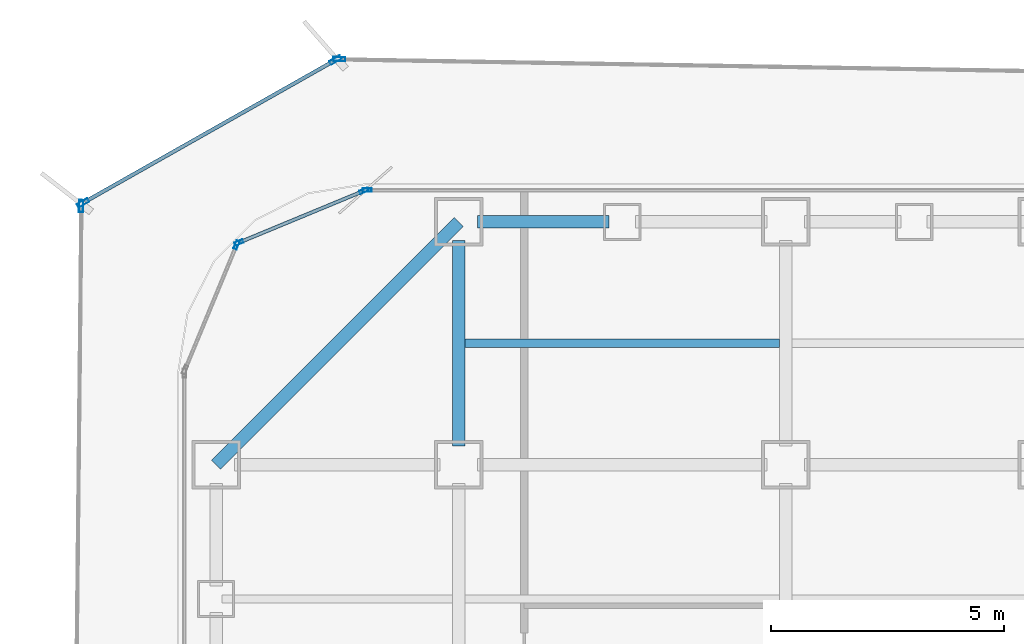
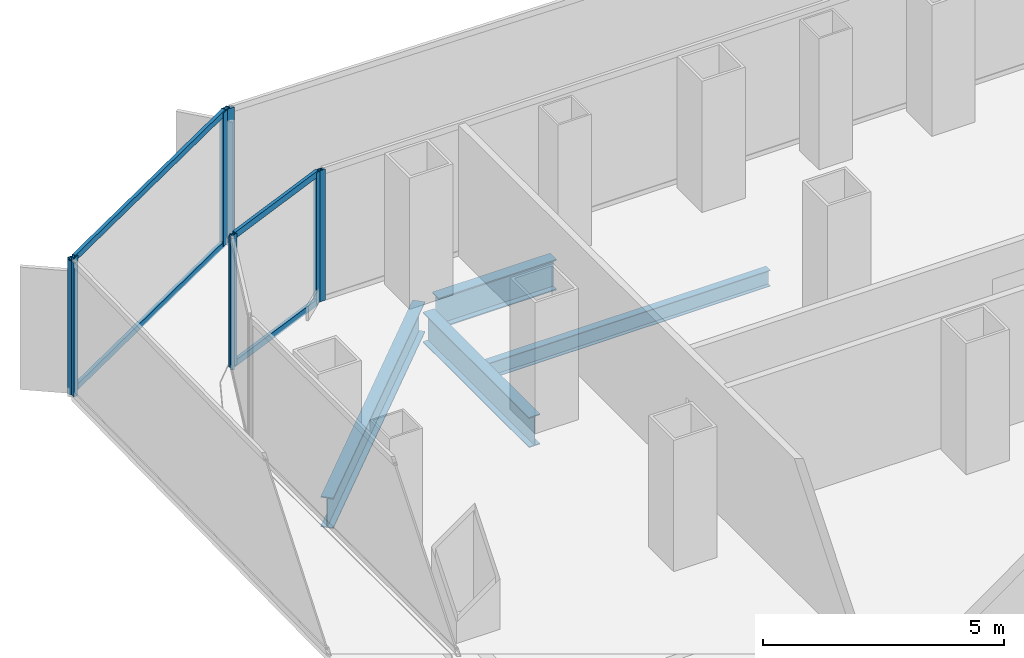
# One storey, part 11 of 21: 12 members, 4 beams, 6 elements without a shape of their own.
"""IFC4 building model written with IfcOpenShell, lengths in metres."""

from ifc_helpers import new_model, si_unit, direction, frame, origin, origin_2d, place, context, subcontext, project, spatial, hollow_rectangle, i_section, extrude, source, transform, mapped, material, layer, layer_set, material_profile, profile_set, type_object, element, aggregate, save


model = new_model("IFC4")

# Units and contexts
model_context = context("Model", 3, precision=1e-05, world=origin(), true_north=direction((0.0, 1.0)))
body_context = subcontext(model_context, "Body", "Model", "MODEL_VIEW")
ifc_project = project(units=[si_unit("LENGTHUNIT", "METRE"), si_unit("AREAUNIT", "SQUARE_METRE"), si_unit("VOLUMEUNIT", "CUBIC_METRE"), si_unit("PLANEANGLEUNIT", "RADIAN"), si_unit("MASSUNIT", "GRAM", prefix="KILO")], contexts=[model_context])

# Site, building, storey
site_placement = place(None, origin())
site = spatial("IfcSite", under=ifc_project, at=site_placement, CompositionType="ELEMENT")
building_placement = place(site_placement, origin())
building = spatial("IfcBuilding", under=site, at=building_placement, Name="Kolveth Station Tower", CompositionType="ELEMENT")
storey_placement = place(building_placement, frame((0.0, 0.0, 40.5)))
storey = spatial("IfcBuildingStorey", under=building, at=storey_placement, Name="L10", CompositionType="ELEMENT", Elevation=40.5)

# Beams
ifc_material_1 = material(Name="Steel S355", Category="steel")
ifc_material_profile_1 = material_profile(ifc_material_1, i_section(OverallWidth=0.26904296875, OverallDepth=0.77490234375, WebThickness=0.01708984375, FlangeThickness=0.0283203125, at=origin_2d()), Name="W760x220")
ifc_profile_set_1 = profile_set([ifc_material_profile_1], Name="Steel S355")
beam_type_1 = type_object("IfcBeamType", Name="Beam_SP1", PredefinedType="SPANDREL", material=ifc_profile_set_1)
shared_shape_1 = source(origin(), body_context, "Body", "SweptSolid", [
    extrude(i_section(OverallWidth=0.26904296875, OverallDepth=0.77490234375, WebThickness=0.01708984375, FlangeThickness=0.0283203125, at=origin_2d()), origin(), (0.0, 0.0, 1.0), 7.353759765625),
])
beam_1_placement = place(storey_placement, frame((6.0, 39.699951171875, -0.66748046875), z_axis=(-0.707106781187, -0.707106781187, 0.0), x_axis=(0.707106781187, -0.707106781187, 0.0)))
element("IfcBeam", 1, at=beam_1_placement, inside=storey, type_object=beam_type_1, Name="L10 Corner Edge Girder BM-L10-CNR-NW", PredefinedType="SPANDREL", context=body_context, shape_type="MappedRepresentation", body=[
    mapped(shared_shape_1, transform((0.0, 0.0, 0.0), x_axis=(1.0, 0.0, 0.0), y_axis=(0.0, 1.0, 0.0), z_axis=(0.0, 0.0, 1.0), scale=1.0)),
])
shared_shape_2 = source(origin(), body_context, "Body", "SweptSolid", [
    extrude(i_section(OverallWidth=0.26904296875, OverallDepth=0.77490234375, WebThickness=0.01708984375, FlangeThickness=0.0283203125, at=origin_2d()), origin(), (0.0, 0.0, 1.0), 2.820068359375),
])
beam_2_placement = place(storey_placement, frame((6.39990234375, 39.699951171875, -0.66748046875), z_axis=(1.0, 0.0, 0.0), x_axis=(0.0, 1.0, 0.0)))
element("IfcBeam", 2, at=beam_2_placement, inside=storey, type_object=beam_type_1, Name="L10 Perimeter Spandrel BM-L10-PN-1", PredefinedType="SPANDREL", context=body_context, shape_type="MappedRepresentation", body=[
    mapped(shared_shape_2, transform((0.0, 0.0, 0.0), x_axis=(1.0, 0.0, 0.0), y_axis=(0.0, 1.0, 0.0), z_axis=(0.0, 0.0, 1.0), scale=1.0)),
])
ifc_material_profile_2 = material_profile(ifc_material_1, i_section(OverallWidth=0.26708984375, OverallDepth=0.76611328125, WebThickness=0.014892578125, FlangeThickness=0.023681640625, at=origin_2d()), Name="W760x185")
ifc_profile_set_2 = profile_set([ifc_material_profile_2], Name="Steel S355")
beam_type_2 = type_object("IfcBeamType", Name="Beam_B3", PredefinedType="BEAM", material=ifc_profile_set_2)
shared_shape_3 = source(origin(), body_context, "Body", "SweptSolid", [
    extrude(i_section(OverallWidth=0.26708984375, OverallDepth=0.76611328125, WebThickness=0.014892578125, FlangeThickness=0.023681640625, at=origin_2d()), origin(), (0.0, 0.0, 1.0), 4.400146484375),
])
beam_3_placement = place(storey_placement, frame((6.0, 34.89990234375, -0.6630859375), z_axis=(0.0, 1.0, 0.0), x_axis=(-1.0, 0.0, 0.0)))
element("IfcBeam", 3, at=beam_3_placement, inside=storey, type_object=beam_type_2, Name="L10 Primary Girder BM-L10-GX60-7", PredefinedType="BEAM", context=body_context, shape_type="MappedRepresentation", body=[
    mapped(shared_shape_3, transform((0.0, 0.0, 0.0), x_axis=(1.0, 0.0, 0.0), y_axis=(0.0, 1.0, 0.0), z_axis=(0.0, 0.0, 1.0), scale=1.0)),
])
ifc_material_profile_3 = material_profile(ifc_material_1, i_section(OverallWidth=0.177978515625, OverallDepth=0.406982421875, WebThickness=0.0078125, FlangeThickness=0.0126953125, at=origin_2d()), Name="W410x60")
ifc_profile_set_3 = profile_set([ifc_material_profile_3], Name="Steel S355")
beam_type_3 = type_object("IfcBeamType", Name="Beam_J1", PredefinedType="JOIST", material=ifc_profile_set_3)
shared_shape_4 = source(origin(), body_context, "Body", "SweptSolid", [
    extrude(i_section(OverallWidth=0.177978515625, OverallDepth=0.406982421875, WebThickness=0.0078125, FlangeThickness=0.0126953125, at=origin_2d()), origin(), (0.0, 0.0, 1.0), 6.73681640625),
])
beam_4_placement = place(storey_placement, frame((6.131591796875, 37.10009765625, -0.4833984375), z_axis=(1.0, 0.0, 0.0), x_axis=(0.0, 1.0, 0.0)))
element("IfcBeam", 4, at=beam_4_placement, inside=storey, type_object=beam_type_3, Name="L10 Secondary Joist JST-L10-2-7", PredefinedType="JOIST", context=body_context, shape_type="MappedRepresentation", body=[
    mapped(shared_shape_4, transform((0.0, 0.0, 0.0), x_axis=(1.0, 0.0, 0.0), y_axis=(0.0, 1.0, 0.0), z_axis=(0.0, 0.0, 1.0), scale=1.0)),
])

# Curtain wall, member
ifc_material_2 = material(Name="Aluminium 6063-T6 and low-E dark glass", Category="aluminium")
ifc_layer_1 = layer(ifc_material_2, 0.179931640625)
ifc_layer_set_1 = layer_set([ifc_layer_1], Name="Aluminium 6063-T6 and low-E dark glass")
curtain_wall_type_1 = type_object("IfcCurtainWallType", Name="CurtainWall_CW-Z1", PredefinedType="NOTDEFINED", material=ifc_layer_set_1)
curtain_wall_1_placement = place(storey_placement, origin())
curtain_wall_1 = element("IfcCurtainWall", 5, at=curtain_wall_1_placement, inside=storey, type_object=curtain_wall_type_1, Name="L10 Inner Thermal Curtain Wall 6", PredefinedType="NOTDEFINED")
ifc_material_3 = material(Name="Black anodized aluminium 6063-T6", Category="aluminium")
ifc_material_profile_4 = material_profile(ifc_material_3, hollow_rectangle(XDim=0.074951171875, YDim=0.18994140625, WallThickness=0.0048828125, at=origin_2d()), Name="ALU-75x190x5")
ifc_profile_set_4 = profile_set([ifc_material_profile_4], Name="Black anodized aluminium 6063-T6")
member_type_1 = type_object("IfcMemberType", Name="Mullion_ML1", PredefinedType="MULLION", material=ifc_profile_set_4)
shared_shape_5 = source(origin(), body_context, "Body", "SweptSolid", [
    extrude(hollow_rectangle(XDim=0.074951171875, YDim=0.18994140625, WallThickness=0.0048828125, at=origin_2d()), origin(), (0.0, 0.0, 1.0), 3.320068359375),
])
member_1_placement = place(storey_placement, frame((4.03759765625, 40.3798828125, 0.0), z_axis=(0.0, 0.0, 1.0), x_axis=(0.0, -1.0, 0.0)))
member_1 = element("IfcMember", 6, at=member_1_placement, type_object=member_type_1, Name="CW-Z1 mullion 3", PredefinedType="MULLION", context=body_context, shape_type="MappedRepresentation", body=[
    mapped(shared_shape_5, transform((0.0, 0.0, 0.0), x_axis=(1.0, 0.0, 0.0), y_axis=(0.0, 1.0, 0.0), z_axis=(0.0, 0.0, 1.0), scale=1.0)),
])
aggregate(curtain_wall_1, [member_1])

# Curtain wall, members
curtain_wall_2_placement = place(storey_placement, origin())
curtain_wall_2 = element("IfcCurtainWall", 7, at=curtain_wall_2_placement, inside=storey, type_object=curtain_wall_type_1, Name="L10 Inner Thermal Curtain Wall 7", PredefinedType="NOTDEFINED")
member_2_placement = place(storey_placement, frame((3.96533203125, 40.36572265625, 0.0), z_axis=(0.0, 0.0, 1.0), x_axis=(0.382672990201, -0.923883857728, 0.0)))
member_2 = element("IfcMember", 8, at=member_2_placement, type_object=member_type_1, Name="CW-Z1 mullion 1", PredefinedType="MULLION", context=body_context, shape_type="MappedRepresentation", body=[
    mapped(shared_shape_5, transform((0.0, 0.0, 0.0), x_axis=(1.0, 0.0, 0.0), y_axis=(0.0, 1.0, 0.0), z_axis=(0.0, 0.0, 1.0), scale=1.0)),
])
member_3_placement = place(storey_placement, frame((1.291015625, 39.258056640625, 0.0), z_axis=(0.0, 0.0, 1.0), x_axis=(0.382672990201, -0.923883857728, 0.0)))
member_3 = element("IfcMember", 9, at=member_3_placement, type_object=member_type_1, Name="CW-Z1 mullion 2", PredefinedType="MULLION", context=body_context, shape_type="MappedRepresentation", body=[
    mapped(shared_shape_5, transform((0.0, 0.0, 0.0), x_axis=(1.0, 0.0, 0.0), y_axis=(0.0, 1.0, 0.0), z_axis=(0.0, 0.0, 1.0), scale=1.0)),
])

# Curtain wall, member
curtain_wall_3_placement = place(storey_placement, origin())
curtain_wall_3 = element("IfcCurtainWall", 10, at=curtain_wall_3_placement, inside=storey, type_object=curtain_wall_type_1, Name="L10 Inner Thermal Curtain Wall 8", PredefinedType="NOTDEFINED")
member_4_placement = place(storey_placement, frame((1.241943359375, 39.208984375, 0.0), z_axis=(0.0, 0.0, 1.0), x_axis=(0.923883857728, -0.382672990201, 0.0)))
member_4 = element("IfcMember", 11, at=member_4_placement, type_object=member_type_1, Name="CW-Z1 mullion 1", PredefinedType="MULLION", context=body_context, shape_type="MappedRepresentation", body=[
    mapped(shared_shape_5, transform((0.0, 0.0, 0.0), x_axis=(1.0, 0.0, 0.0), y_axis=(0.0, 1.0, 0.0), z_axis=(0.0, 0.0, 1.0), scale=1.0)),
])
aggregate(curtain_wall_3, [member_4])

# Member
ifc_material_profile_5 = material_profile(ifc_material_3, hollow_rectangle(XDim=0.074951171875, YDim=0.159912109375, WallThickness=0.0048828125, at=origin_2d()), Name="ALU-75x160x5")
ifc_profile_set_5 = profile_set([ifc_material_profile_5], Name="Black anodized aluminium 6063-T6")
member_type_2 = type_object("IfcMemberType", Name="Transom_TR1", PredefinedType="USERDEFINED", material=ifc_profile_set_5)
shared_shape_6 = source(origin(), body_context, "Body", "SweptSolid", [
    extrude(hollow_rectangle(XDim=0.074951171875, YDim=0.159912109375, WallThickness=0.0048828125, at=origin_2d()), origin(), (0.0, 0.0, 1.0), 2.819580078125),
])
member_5_placement = place(storey_placement, frame((3.9306640625, 40.351318359375, 0.03759765625), z_axis=(-0.923869084389, -0.382708655389, 0.0), x_axis=(0.382708655389, -0.923869084389, 0.0)))
member_5 = element("IfcMember", 12, at=member_5_placement, type_object=member_type_2, Name="CW-Z1 transom 1.1", ObjectType="TRANSOM", PredefinedType="USERDEFINED", context=body_context, shape_type="MappedRepresentation", body=[
    mapped(shared_shape_6, transform((0.0, 0.0, 0.0), x_axis=(1.0, 0.0, 0.0), y_axis=(0.0, 1.0, 0.0), z_axis=(0.0, 0.0, 1.0), scale=1.0)),
])

member_6_placement = place(storey_placement, frame((3.9306640625, 40.351318359375, 3.282470703125), z_axis=(-0.923869084389, -0.382708655389, 0.0), x_axis=(0.382708655389, -0.923869084389, 0.0)))
member_6 = element("IfcMember", 13, at=member_6_placement, type_object=member_type_2, Name="CW-Z1 transom 1.2", ObjectType="TRANSOM", PredefinedType="USERDEFINED", context=body_context, shape_type="MappedRepresentation", body=[
    mapped(shared_shape_6, transform((0.0, 0.0, 0.0), x_axis=(1.0, 0.0, 0.0), y_axis=(0.0, 1.0, 0.0), z_axis=(0.0, 0.0, 1.0), scale=1.0)),
])

aggregate(curtain_wall_2, [member_2, member_3, member_5, member_6])

# Curtain wall, member
ifc_material_4 = material(Name="Black anodized aluminium 6063-T6 and dark solar glass", Category="aluminium")
ifc_layer_2 = layer(ifc_material_4, 0.159912109375)
ifc_layer_set_2 = layer_set([ifc_layer_2], Name="Black anodized aluminium 6063-T6 and dark solar glass")
curtain_wall_type_2 = type_object("IfcCurtainWallType", Name="OUTER SKIN CW-OS", PredefinedType="NOTDEFINED", material=ifc_layer_set_2)
curtain_wall_4_placement = place(storey_placement, origin())
curtain_wall_4 = element("IfcCurtainWall", 14, at=curtain_wall_4_placement, inside=storey, type_object=curtain_wall_type_2, Name="L10 Outer Ventilated Skin Curtain Wall 4", PredefinedType="NOTDEFINED")
ifc_material_profile_6 = material_profile(ifc_material_3, hollow_rectangle(XDim=0.090087890625, YDim=0.260009765625, WallThickness=0.0048828125, at=origin_2d()), Name="ALU-90x260x5")
ifc_profile_set_6 = profile_set([ifc_material_profile_6], Name="Black anodized aluminium 6063-T6")
member_type_3 = type_object("IfcMemberType", Name="FIN MULLION ML-OS", PredefinedType="MULLION", material=ifc_profile_set_6)
shared_shape_7 = source(origin(), body_context, "Body", "SweptSolid", [
    extrude(hollow_rectangle(XDim=0.090087890625, YDim=0.260009765625, WallThickness=0.0048828125, at=origin_2d()), origin(), (0.0, 0.0, 1.0), 3.389892578125),
])
member_7_placement = place(storey_placement, frame((3.439208984375, 43.18701171875, 0.0), z_axis=(0.0, 0.0, 1.0), x_axis=(-0.016859990549, -0.999857860257, 0.0)))
member_7 = element("IfcMember", 15, at=member_7_placement, type_object=member_type_3, Name="CW-OS mullion 2", PredefinedType="MULLION", context=body_context, shape_type="MappedRepresentation", body=[
    mapped(shared_shape_7, transform((0.0, 0.0, 0.0), x_axis=(1.0, 0.0, 0.0), y_axis=(0.0, 1.0, 0.0), z_axis=(0.0, 0.0, 1.0), scale=1.0)),
])
aggregate(curtain_wall_4, [member_7])

# Curtain wall, members
curtain_wall_5_placement = place(storey_placement, origin())
curtain_wall_5 = element("IfcCurtainWall", 16, at=curtain_wall_5_placement, inside=storey, type_object=curtain_wall_type_2, Name="L10 Outer Ventilated Skin Curtain Wall 5", PredefinedType="NOTDEFINED")
member_8_placement = place(storey_placement, frame((3.35498046875, 43.16552734375, 0.0), z_axis=(0.0, 0.0, 1.0), x_axis=(0.492426498307, -0.870354033578, 0.0)))
member_8 = element("IfcMember", 17, at=member_8_placement, type_object=member_type_3, Name="CW-OS mullion 1", PredefinedType="MULLION", context=body_context, shape_type="MappedRepresentation", body=[
    mapped(shared_shape_7, transform((0.0, 0.0, 0.0), x_axis=(1.0, 0.0, 0.0), y_axis=(0.0, 1.0, 0.0), z_axis=(0.0, 0.0, 1.0), scale=1.0)),
])
member_9_placement = place(storey_placement, frame((-2.049560546875, 40.10791015625, 0.0), z_axis=(0.0, 0.0, 1.0), x_axis=(0.492426498307, -0.870354033578, 0.0)))
member_9 = element("IfcMember", 18, at=member_9_placement, type_object=member_type_3, Name="CW-OS mullion 2", PredefinedType="MULLION", context=body_context, shape_type="MappedRepresentation", body=[
    mapped(shared_shape_7, transform((0.0, 0.0, 0.0), x_axis=(1.0, 0.0, 0.0), y_axis=(0.0, 1.0, 0.0), z_axis=(0.0, 0.0, 1.0), scale=1.0)),
])

# Curtain wall, member
curtain_wall_6_placement = place(storey_placement, origin())
curtain_wall_6 = element("IfcCurtainWall", 19, at=curtain_wall_6_placement, inside=storey, type_object=curtain_wall_type_2, Name="L10 Outer Ventilated Skin Curtain Wall 6", PredefinedType="NOTDEFINED")
member_10_placement = place(storey_placement, frame((-2.08935546875, 40.040771484375, 0.0), z_axis=(0.0, 0.0, 1.0), x_axis=(0.999945524572, -0.010437810504, 0.0)))
member_10 = element("IfcMember", 20, at=member_10_placement, type_object=member_type_3, Name="CW-OS mullion 1", PredefinedType="MULLION", context=body_context, shape_type="MappedRepresentation", body=[
    mapped(shared_shape_7, transform((0.0, 0.0, 0.0), x_axis=(1.0, 0.0, 0.0), y_axis=(0.0, 1.0, 0.0), z_axis=(0.0, 0.0, 1.0), scale=1.0)),
])
aggregate(curtain_wall_6, [member_10])

# Member
ifc_material_profile_7 = material_profile(ifc_material_3, hollow_rectangle(XDim=0.080078125, YDim=0.14990234375, WallThickness=0.0048828125, at=origin_2d()), Name="ALU-80x150x5")
ifc_profile_set_7 = profile_set([ifc_material_profile_7], Name="Black anodized aluminium 6063-T6")
member_type_4 = type_object("IfcMemberType", Name="Transom_TR-OS", PredefinedType="USERDEFINED", material=ifc_profile_set_7)
shared_shape_8 = source(origin(), body_context, "Body", "SweptSolid", [
    extrude(hollow_rectangle(XDim=0.080078125, YDim=0.14990234375, WallThickness=0.0048828125, at=origin_2d()), origin(), (0.0, 0.0, 1.0), 6.11962890625),
])
member_11_placement = place(storey_placement, frame((3.315673828125, 43.1435546875, 0.0400390625), z_axis=(-0.870353967778, -0.492426614608, 0.0), x_axis=(0.492426614608, -0.870353967778, 0.0)))
member_11 = element("IfcMember", 21, at=member_11_placement, type_object=member_type_4, Name="CW-OS transom 1.1", ObjectType="TRANSOM", PredefinedType="USERDEFINED", context=body_context, shape_type="MappedRepresentation", body=[
    mapped(shared_shape_8, transform((0.0, 0.0, 0.0), x_axis=(1.0, 0.0, 0.0), y_axis=(0.0, 1.0, 0.0), z_axis=(0.0, 0.0, 1.0), scale=1.0)),
])

member_12_placement = place(storey_placement, frame((3.315673828125, 43.1435546875, 3.35009765625), z_axis=(-0.870353967778, -0.492426614608, 0.0), x_axis=(0.492426614608, -0.870353967778, 0.0)))
member_12 = element("IfcMember", 22, at=member_12_placement, type_object=member_type_4, Name="CW-OS transom 1.2", ObjectType="TRANSOM", PredefinedType="USERDEFINED", context=body_context, shape_type="MappedRepresentation", body=[
    mapped(shared_shape_8, transform((0.0, 0.0, 0.0), x_axis=(1.0, 0.0, 0.0), y_axis=(0.0, 1.0, 0.0), z_axis=(0.0, 0.0, 1.0), scale=1.0)),
])

aggregate(curtain_wall_5, [member_8, member_9, member_11, member_12])

save(model, "model.ifc")
